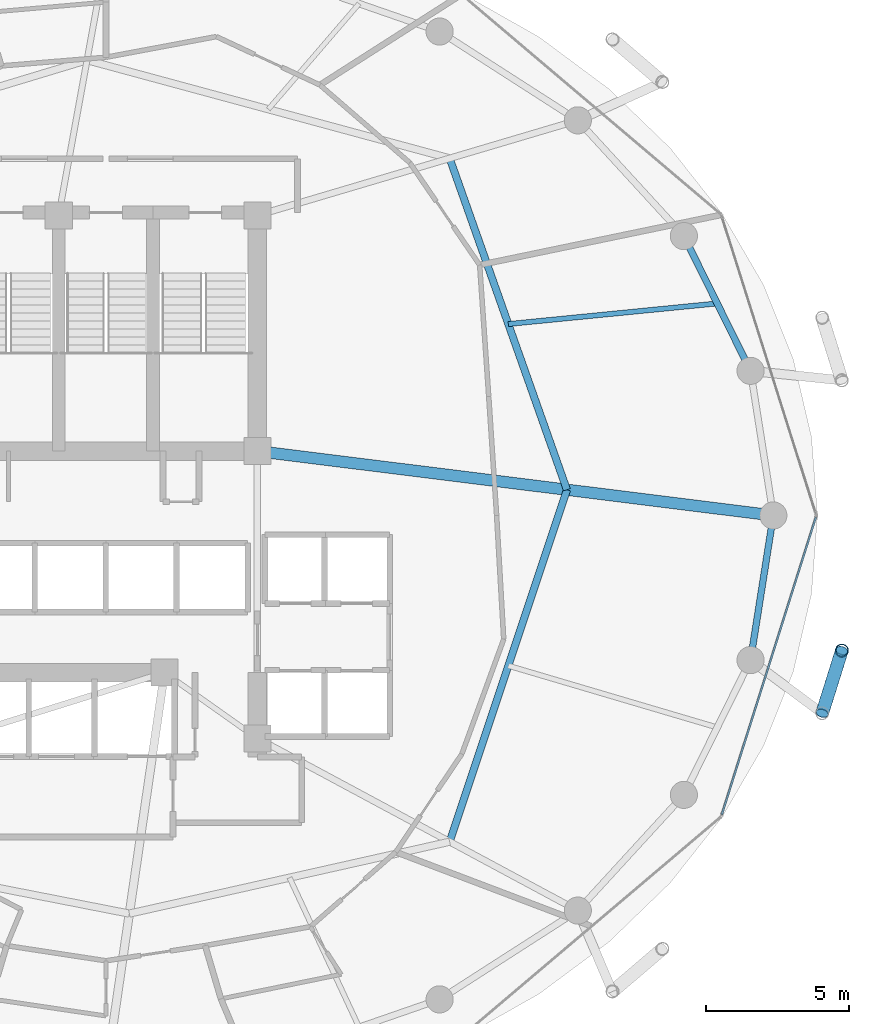
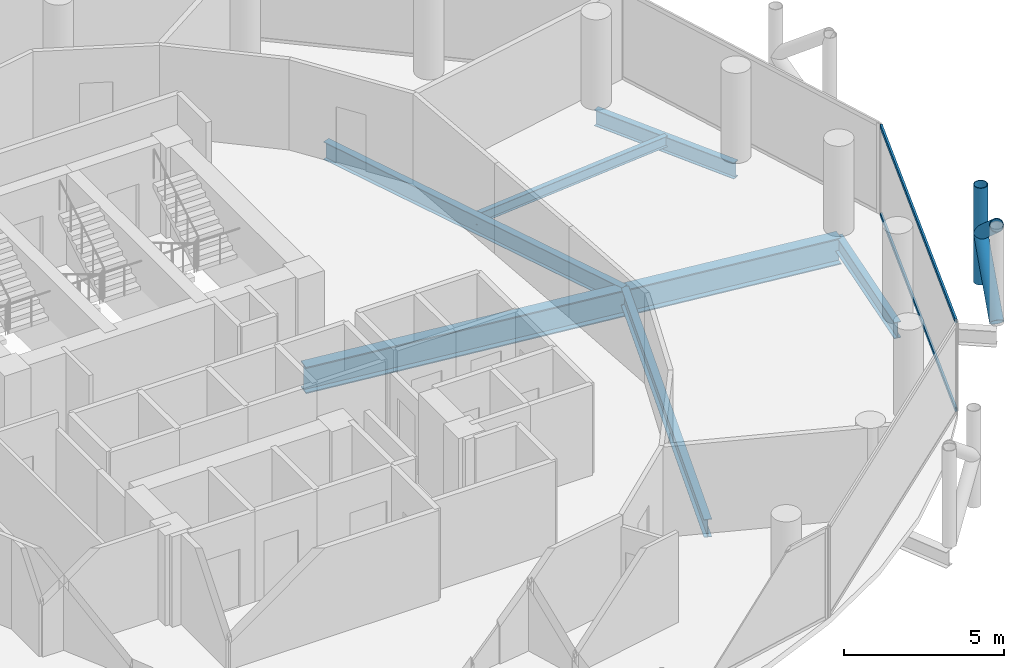
# One storey, part 11 of 26: 6 beams, 5 members, 1 element without a shape of its own.
"""IFC4 building model written with IfcOpenShell, lengths in metres."""

from ifc_helpers import new_model, si_unit, direction, frame, origin, origin_2d, place, context, subcontext, project, spatial, hollow_rectangle, hollow_circle, i_section, extrude, material, layer, layer_set, material_profile, profile_set, type_object, element, aggregate, save


model = new_model("IFC4")

# Units and contexts
model_context = context("Model", 3, precision=1e-05, world=origin(), true_north=direction((0.0, 1.0)))
body_context = subcontext(model_context, "Body", "Model", "MODEL_VIEW")
ifc_project = project(units=[si_unit("LENGTHUNIT", "METRE"), si_unit("AREAUNIT", "SQUARE_METRE"), si_unit("VOLUMEUNIT", "CUBIC_METRE"), si_unit("PLANEANGLEUNIT", "RADIAN"), si_unit("MASSUNIT", "GRAM", prefix="KILO")], contexts=[model_context])

# Site, building, storey
site_placement = place(None, origin())
site = spatial("IfcSite", under=ifc_project, at=site_placement, CompositionType="ELEMENT")
building_placement = place(site_placement, origin())
building = spatial("IfcBuilding", under=site, at=building_placement, Name="Nuhasar Tower", CompositionType="ELEMENT")
storey_placement = place(building_placement, frame((0.0, 0.0, 147.85009765625)))
storey = spatial("IfcBuildingStorey", under=building, at=storey_placement, Name="L35", CompositionType="ELEMENT", Elevation=147.85009765625)

# Beams
ifc_material_1 = material(Name="Steel S355", Category="steel")
ifc_material_profile_1 = material_profile(ifc_material_1, i_section(OverallWidth=0.25390625, OverallDepth=0.68408203125, WebThickness=0.012451171875, FlangeThickness=0.018798828125, at=origin_2d()), Name="W27X94")
ifc_profile_set_1 = profile_set([ifc_material_profile_1], Name="Steel S355")
beam_type_1 = type_object("IfcBeamType", Name="BM-INRING-W27X94", PredefinedType="BEAM", material=ifc_profile_set_1)
beam_1_placement = place(storey_placement, frame((51.027099609375, 15.385986328125, -0.592041015625), z_axis=(0.31609797573, 0.948726551615, 0.0), x_axis=(-0.948726551615, 0.31609797573, 0.0)))
element("IfcBeam", 1, at=beam_1_placement, inside=storey, type_object=beam_type_1, Name="L35 Inner Header Beam 03", PredefinedType="BEAM", context=body_context, shape_type="SweptSolid", body=[
    extrude(i_section(OverallWidth=0.25390625, OverallDepth=0.68408203125, WebThickness=0.012451171875, FlangeThickness=0.018798828125, at=origin_2d()), origin(), (0.0, 0.0, 1.0), 12.9794921875),
])
beam_2_placement = place(storey_placement, frame((55.1298828125, 27.699951171875, -0.592041015625), z_axis=(-0.333599821096, 0.942714781556, 0.0), x_axis=(-0.942714781556, -0.333599821096, 0.0)))
element("IfcBeam", 2, at=beam_2_placement, inside=storey, type_object=beam_type_1, Name="L35 Inner Header Beam 04", PredefinedType="BEAM", context=body_context, shape_type="SweptSolid", body=[
    extrude(i_section(OverallWidth=0.25390625, OverallDepth=0.68408203125, WebThickness=0.012451171875, FlangeThickness=0.018798828125, at=origin_2d()), origin(), (0.0, 0.0, 1.0), 12.298583984375),
])
ifc_material_profile_2 = material_profile(ifc_material_1, i_section(OverallWidth=0.177978515625, OverallDepth=0.406005859375, WebThickness=0.0078125, FlangeThickness=0.0126953125, at=origin_2d()), Name="W16X40")
ifc_profile_set_2 = profile_set([ifc_material_profile_2], Name="Steel S355")
beam_type_2 = type_object("IfcBeamType", Name="BM-JST-W16X40", PredefinedType="JOIST", material=ifc_profile_set_2)
beam_3_placement = place(storey_placement, frame((53.0791015625, 33.4970703125, -0.453125), z_axis=(0.995170244515, 0.098164068947, 0.0), x_axis=(-0.098164068947, 0.995170244515, 0.0)))
element("IfcBeam", 3, at=beam_3_placement, inside=storey, type_object=beam_type_2, Name="L35 Secondary Floor Joist 04", PredefinedType="JOIST", context=body_context, shape_type="SweptSolid", body=[
    extrude(i_section(OverallWidth=0.177978515625, OverallDepth=0.406005859375, WebThickness=0.0078125, FlangeThickness=0.0126953125, at=origin_2d()), origin(), (0.0, 0.0, 1.0), 7.34423828125),
])
ifc_material_profile_3 = material_profile(ifc_material_1, i_section(OverallWidth=0.22998046875, OverallDepth=0.616943359375, WebThickness=0.01318359375, FlangeThickness=0.022216796875, at=origin_2d()), Name="W24X94")
ifc_profile_set_3 = profile_set([ifc_material_profile_3], Name="Steel S355")
beam_type_3 = type_object("IfcBeamType", Name="BM-RING-W24X94", PredefinedType="SPANDREL", material=ifc_profile_set_3)
beam_4_placement = place(storey_placement, frame((61.553955078125, 31.860107421875, -0.55908203125), z_axis=(-0.443347771709, 0.896349682501, 0.0), x_axis=(-0.896349682501, -0.443347771709, 0.0)))
element("IfcBeam", 4, at=beam_4_placement, inside=storey, type_object=beam_type_3, Name="L35 Perimeter Ring Spandrel 02", PredefinedType="SPANDREL", context=body_context, shape_type="SweptSolid", body=[
    extrude(i_section(OverallWidth=0.22998046875, OverallDepth=0.616943359375, WebThickness=0.01318359375, FlangeThickness=0.022216796875, at=origin_2d()), origin(), (0.0, 0.0, 1.0), 5.260009765625),
])
beam_5_placement = place(storey_placement, frame((61.553955078125, 21.739990234375, -0.55908203125), z_axis=(0.155426543608, 0.987847452566, 0.0), x_axis=(-0.987847452566, 0.155426543608, 0.0)))
element("IfcBeam", 5, at=beam_5_placement, inside=storey, type_object=beam_type_3, Name="L35 Perimeter Ring Spandrel 24", PredefinedType="SPANDREL", context=body_context, shape_type="SweptSolid", body=[
    extrude(i_section(OverallWidth=0.22998046875, OverallDepth=0.616943359375, WebThickness=0.01318359375, FlangeThickness=0.022216796875, at=origin_2d()), origin(), (0.0, 0.0, 1.0), 5.122314453125),
])
ifc_material_2 = material(Name="Steel S460", Category="steel")
ifc_material_profile_4 = material_profile(ifc_material_2, i_section(OverallWidth=0.40087890625, OverallDepth=1.010009765625, WebThickness=0.023681640625, FlangeThickness=0.0419921875, at=origin_2d()), Name="W40X297")
ifc_profile_set_4 = profile_set([ifc_material_profile_4], Name="Steel S460")
beam_type_4 = type_object("IfcBeamType", Name="BM-XFER-W40X297", PredefinedType="USERDEFINED", material=ifc_profile_set_4)
beam_6_placement = place(storey_placement, frame((44.300048828125, 29.050048828125, -0.755126953125), z_axis=(0.992320149485, -0.123696082908, 0.0), x_axis=(0.123696082908, 0.992320149485, 0.0)))
element("IfcBeam", 6, at=beam_6_placement, inside=storey, type_object=beam_type_4, Name="L35 Radial Floor Girder 04", ObjectType="GIRDER", PredefinedType="USERDEFINED", context=body_context, shape_type="SweptSolid", body=[
    extrude(i_section(OverallWidth=0.40087890625, OverallDepth=1.010009765625, WebThickness=0.023681640625, FlangeThickness=0.0419921875, at=origin_2d()), origin(), (0.0, 0.0, 1.0), 18.189697265625),
])

# Curtain wall, members
ifc_material_3 = material(Name="Aluminium 6063-T6", Category="aluminium")
ifc_layer = layer(ifc_material_3, 0.199951171875)
ifc_layer_set = layer_set([ifc_layer], Name="Aluminium 6063-T6")
curtain_wall_type = type_object("IfcCurtainWallType", Name="CW-Z2-HTL", PredefinedType="NOTDEFINED", material=ifc_layer_set)
curtain_wall_placement = place(storey_placement, origin())
curtain_wall = element("IfcCurtainWall", 7, at=curtain_wall_placement, inside=storey, type_object=curtain_wall_type, Name="L35 Unitised Curtain Wall 12", PredefinedType="NOTDEFINED")
ifc_material_profile_5 = material_profile(ifc_material_3, hollow_rectangle(XDim=0.070068359375, YDim=0.159912109375, WallThickness=0.00439453125, at=origin_2d()), Name="CWT-3")
ifc_profile_set_5 = profile_set([ifc_material_profile_5], Name="Aluminium 6063-T6")
member_type_1 = type_object("IfcMemberType", Name="CW-TRN-S3", PredefinedType="USERDEFINED", material=ifc_profile_set_5)
member_1_placement = place(storey_placement, frame((60.550048828125, 16.336669921875, 0.034912109375), z_axis=(0.301608163352, 0.953431967053, 0.0), x_axis=(-0.953431967053, 0.301608163352, 0.0)))
member_1 = element("IfcMember", 8, at=member_1_placement, type_object=member_type_1, Name="CW-Z2 transom 1.1", ObjectType="TRANSOM", PredefinedType="USERDEFINED", context=body_context, shape_type="SweptSolid", body=[
    extrude(hollow_rectangle(XDim=0.070068359375, YDim=0.159912109375, WallThickness=0.00439453125, at=origin_2d()), origin(), (0.0, 0.0, 1.0), 10.904296875),
])
member_2_placement = place(storey_placement, frame((60.550048828125, 16.336669921875, 3.414794921875), z_axis=(0.301608163352, 0.953431967053, 0.0), x_axis=(-0.953431967053, 0.301608163352, 0.0)))
member_2 = element("IfcMember", 9, at=member_2_placement, type_object=member_type_1, Name="CW-Z2 transom 1.2", ObjectType="TRANSOM", PredefinedType="USERDEFINED", context=body_context, shape_type="SweptSolid", body=[
    extrude(hollow_rectangle(XDim=0.070068359375, YDim=0.159912109375, WallThickness=0.00439453125, at=origin_2d()), origin(), (0.0, 0.0, 1.0), 10.904296875),
])
aggregate(curtain_wall, [member_1, member_2])

# Members
ifc_material_profile_6 = material_profile(ifc_material_2, hollow_circle(Radius=0.228515625, WallThickness=0.022216796875, at=origin_2d()), Name="HSS457X22.2")
ifc_profile_set_6 = profile_set([ifc_material_profile_6], Name="Steel S460")
member_type_2 = type_object("IfcMemberType", Name="EXO-BRONZE-457", PredefinedType="BRACE", material=ifc_profile_set_6)
member_3_placement = place(storey_placement, frame((64.748046875, 22.073974609375, 0.0), z_axis=(0.0, 0.0, 1.0), x_axis=(1.0, 0.0, 0.0)))
element("IfcMember", 10, at=member_3_placement, inside=storey, type_object=member_type_2, Name="L35 Exoskeleton Chord Column EC-12B", PredefinedType="BRACE", context=body_context, shape_type="SweptSolid", body=[
    extrude(hollow_circle(Radius=0.228515625, WallThickness=0.022216796875, at=origin_2d()), origin(), (0.0, 0.0, 1.0), 3.699951171875),
])
member_4_placement = place(storey_placement, frame((64.06005859375, 19.87890625, 0.0), z_axis=(0.233067628236, 0.74361641074, 0.626669062861), x_axis=(-0.954228474306, 0.29907861646, 0.0)))
element("IfcMember", 11, at=member_4_placement, inside=storey, type_object=member_type_2, Name="L35 Bronze Diagrid Brace W1-12", PredefinedType="BRACE", context=body_context, shape_type="SweptSolid", body=[
    extrude(hollow_circle(Radius=0.228515625, WallThickness=0.022216796875, at=origin_2d()), origin(), (0.0, 0.0, 1.0), 2.951904296875),
])
member_5_placement = place(storey_placement, frame((64.748046875, 22.073974609375, 1.849853515625), z_axis=(-0.233055548538, -0.743577869731, 0.626719285599), x_axis=(0.954228474306, -0.29907861646, 0.0)))
element("IfcMember", 12, at=member_5_placement, inside=storey, type_object=member_type_2, Name="L35 Bronze Diagrid Brace W2-12", PredefinedType="BRACE", context=body_context, shape_type="SweptSolid", body=[
    extrude(hollow_circle(Radius=0.228515625, WallThickness=0.022216796875, at=origin_2d()), origin(), (0.0, 0.0, 1.0), 2.9521484375),
])

save(model, "model.ifc")
